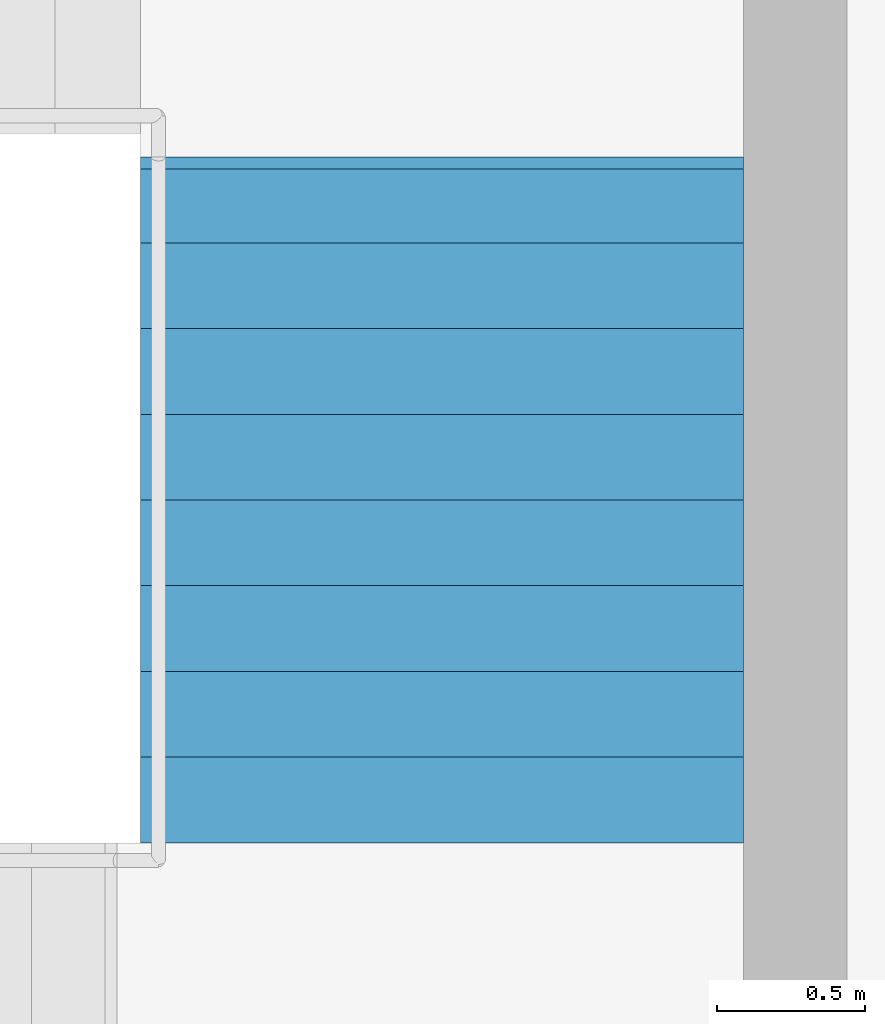
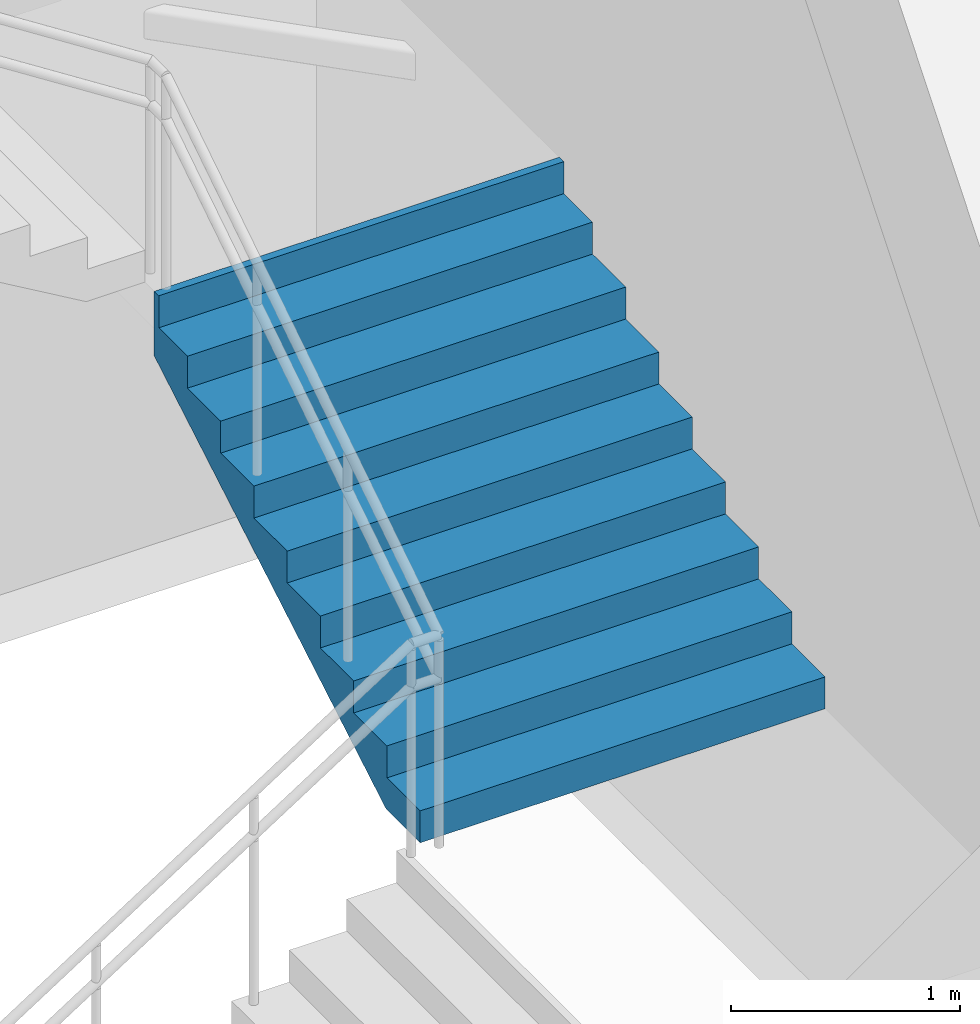
# One storey, part 52 of 58: 1 stair flight, 1 element without a shape of its own.
"""IFC4 building model written with IfcOpenShell, lengths in metres."""

from ifc_helpers import new_model, si_unit, direction, frame, origin, place, context, subcontext, project, spatial, triangles, material, type_object, element, aggregate, save


model = new_model("IFC4")

# Units and contexts
model_context = context("Model", 3, precision=1e-05, world=origin(), true_north=direction((0.0, 1.0)))
body_context = subcontext(model_context, "Body", "Model", "MODEL_VIEW")
ifc_project = project(units=[si_unit("LENGTHUNIT", "METRE"), si_unit("AREAUNIT", "SQUARE_METRE"), si_unit("VOLUMEUNIT", "CUBIC_METRE"), si_unit("PLANEANGLEUNIT", "RADIAN"), si_unit("MASSUNIT", "GRAM", prefix="KILO")], contexts=[model_context])

# Site, building, storey
site_placement = place(None, origin())
site = spatial("IfcSite", under=ifc_project, at=site_placement, CompositionType="ELEMENT")
building_placement = place(site_placement, origin())
building = spatial("IfcBuilding", under=site, at=building_placement, Name="Sillaruma Civic Art Gallery", CompositionType="ELEMENT")
storey_placement = place(building_placement, frame((0.0, 0.0, 22.43994140625)))
storey = spatial("IfcBuildingStorey", under=building, at=storey_placement, Name="L04", CompositionType="ELEMENT", Elevation=22.43994140625)

# Stair, stair flight
ifc_material = material(Name="Concrete H35 (35 MPa)", Category="concrete")
stair_type = type_object("IfcStairType", Name="STR-4F-36", PredefinedType="USERDEFINED", material=ifc_material)
stair_placement = place(storey_placement, origin())
stair = element("IfcStair", 1, at=stair_placement, inside=storey, type_object=stair_type, Name="Protected Exit Stair ST-02 (West Bar North) (L04)", ObjectType="THREE_RETURN_STAIR", PredefinedType="USERDEFINED")
stair_flight_type = type_object("IfcStairFlightType", Name="SFL-STR-9", PredefinedType="STRAIGHT", material=ifc_material)
stair_flight_placement = place(storey_placement, frame((68.219970703125, 82.949951171875, 1.530029296875), z_axis=(0.0, 0.0, 1.0), x_axis=(0.0, 1.0, 0.0)))
stair_flight = element("IfcStairFlight", 2, at=stair_flight_placement, type_object=stair_flight_type, Name="ST-02 flight 2", NumberOfRisers=9, NumberOfTreads=8, PredefinedType="STRAIGHT", RiserHeight=0.17, TreadLength=0.29, context=body_context, shape_type="Tessellation", body=[
    triangles([(0.0, -1.02001953125, 0.0), (0.29, -1.02001953125, 0.0), (0.296482, -1.02001953125, 0.0), (0.58, -1.02001953125, 0.1662), (0.87, -1.02001953125, 0.3362), (1.16, -1.02001953125, 0.5062), (1.45, -1.02001953125, 0.6762), (1.74, -1.02001953125, 0.8462), (2.03, -1.02001953125, 1.0162), (2.280068, -1.02001953125, 1.162792), (2.320068, -1.02001953125, 1.18624), (2.320068, -1.02001953125, 1.53), (2.280068, -1.02001953125, 1.53), (2.280068, -1.02001953125, 1.36), (2.03, -1.02001953125, 1.36), (2.03, -1.02001953125, 1.19), (1.74, -1.02001953125, 1.19), (1.74, -1.02001953125, 1.02), (1.45, -1.02001953125, 1.02), (1.45, -1.02001953125, 0.85), (1.16, -1.02001953125, 0.85), (1.16, -1.02001953125, 0.68), (0.87, -1.02001953125, 0.68), (0.87, -1.02001953125, 0.51), (0.58, -1.02001953125, 0.51), (0.58, -1.02001953125, 0.34), (0.296482, -1.02001953125, 0.34), (0.29, -1.02001953125, 0.34), (0.29, -1.02001953125, 0.17), (0.0, -1.02001953125, 0.17), (0.0, -0.05, 0.0), (0.29, -0.05, 0.0), (0.296482, -0.05, 0.0), (0.58, -0.05, 0.1662), (0.87, -0.05, 0.3362), (1.16, -0.05, 0.5062), (1.45, -0.05, 0.6762), (1.74, -0.05, 0.8462), (2.03, -0.05, 1.0162), (2.280068, -0.05, 1.162792), (2.320068, -0.05, 1.18624), (2.320068, -0.05, 1.53), (2.280068, -0.05, 1.53), (2.280068, -0.05, 1.36), (2.03, -0.05, 1.36), (2.03, -0.05, 1.19), (1.74, -0.05, 1.19), (1.74, -0.05, 1.02), (1.45, -0.05, 1.02), (1.45, -0.05, 0.85), (1.16, -0.05, 0.85), (1.16, -0.05, 0.68), (0.87, -0.05, 0.68), (0.87, -0.05, 0.51), (0.58, -0.05, 0.51), (0.58, -0.05, 0.34), (0.296482, -0.05, 0.34), (0.29, -0.05, 0.34), (0.29, -0.05, 0.17), (0.0, -0.05, 0.17), (0.0, -0.0375, 0.0), (0.29, -0.0375, 0.0), (0.296482, -0.0375, 0.0), (0.58, -0.0375, 0.1662), (0.87, -0.0375, 0.3362), (1.16, -0.0375, 0.5062), (1.45, -0.0375, 0.6762), (1.74, -0.0375, 0.8462), (2.03, -0.0375, 1.0162), (2.280068, -0.0375, 1.162792), (2.320068, -0.0375, 1.18624), (2.320068, -0.0375, 1.53), (2.280068, -0.0375, 1.53), (2.280068, -0.0375, 1.36), (2.03, -0.0375, 1.36), (2.03, -0.0375, 1.19), (1.74, -0.0375, 1.19), (1.74, -0.0375, 1.02), (1.45, -0.0375, 1.02), (1.45, -0.0375, 0.85), (1.16, -0.0375, 0.85), (1.16, -0.0375, 0.68), (0.87, -0.0375, 0.68), (0.87, -0.0375, 0.51), (0.58, -0.0375, 0.51), (0.58, -0.0375, 0.34), (0.296482, -0.0375, 0.34), (0.29, -0.0375, 0.34), (0.29, -0.0375, 0.17), (0.0, -0.0375, 0.17), (0.0, -0.025, 0.0), (0.29, -0.025, 0.0), (0.296482, -0.025, 0.0), (0.58, -0.025, 0.1662), (0.87, -0.025, 0.3362), (1.16, -0.025, 0.5062), (1.45, -0.025, 0.6762), (1.74, -0.025, 0.8462), (2.03, -0.025, 1.0162), (2.280068, -0.025, 1.162792), (2.320068, -0.025, 1.18624), (2.320068, -0.025, 1.53), (2.280068, -0.025, 1.53), (2.280068, -0.025, 1.36), (2.03, -0.025, 1.36), (2.03, -0.025, 1.19), (1.74, -0.025, 1.19), (1.74, -0.025, 1.02), (1.45, -0.025, 1.02), (1.45, -0.025, 0.85), (1.16, -0.025, 0.85), (1.16, -0.025, 0.68), (0.87, -0.025, 0.68), (0.87, -0.025, 0.51), (0.58, -0.025, 0.51), (0.58, -0.025, 0.34), (0.296482, -0.025, 0.34), (0.29, -0.025, 0.34), (0.29, -0.025, 0.17), (0.0, -0.025, 0.17), (0.0, -0.0125, 0.0), (0.29, -0.0125, 0.0), (0.296482, -0.0125, 0.0), (0.58, -0.0125, 0.1662), (0.87, -0.0125, 0.3362), (1.16, -0.0125, 0.5062), (1.45, -0.0125, 0.6762), (1.74, -0.0125, 0.8462), (2.03, -0.0125, 1.0162), (2.280068, -0.0125, 1.162792), (2.320068, -0.0125, 1.18624), (2.320068, -0.0125, 1.53), (2.280068, -0.0125, 1.53), (2.280068, -0.0125, 1.36), (2.03, -0.0125, 1.36), (2.03, -0.0125, 1.19), (1.74, -0.0125, 1.19), (1.74, -0.0125, 1.02), (1.45, -0.0125, 1.02), (1.45, -0.0125, 0.85), (1.16, -0.0125, 0.85), (1.16, -0.0125, 0.68), (0.87, -0.0125, 0.68), (0.87, -0.0125, 0.51), (0.58, -0.0125, 0.51), (0.58, -0.0125, 0.34), (0.296482, -0.0125, 0.34), (0.29, -0.0125, 0.34), (0.29, -0.0125, 0.17), (0.0, -0.0125, 0.17), (0.0, 0.0, 0.0), (0.29, 0.0, 0.0), (0.296482, 0.0, 0.0), (0.58, 0.0, 0.1662), (0.87, 0.0, 0.3362), (1.16, 0.0, 0.5062), (1.45, 0.0, 0.6762), (1.74, 0.0, 0.8462), (2.03, 0.0, 1.0162), (2.280068, 0.0, 1.162792), (2.320068, 0.0, 1.18624), (2.320068, 0.0, 1.53), (2.280068, 0.0, 1.53), (2.280068, 0.0, 1.36), (2.03, 0.0, 1.36), (2.03, 0.0, 1.19), (1.74, 0.0, 1.19), (1.74, 0.0, 1.02), (1.45, 0.0, 1.02), (1.45, 0.0, 0.85), (1.16, 0.0, 0.85), (1.16, 0.0, 0.68), (0.87, 0.0, 0.68), (0.87, 0.0, 0.51), (0.58, 0.0, 0.51), (0.58, 0.0, 0.34), (0.296482, 0.0, 0.34), (0.29, 0.0, 0.34), (0.29, 0.0, 0.17), (0.0, 0.0, 0.17), (0.0, 0.0125, 0.0), (0.29, 0.0125, 0.0), (0.296482, 0.0125, 0.0), (0.58, 0.0125, 0.1662), (0.87, 0.0125, 0.3362), (1.16, 0.0125, 0.5062), (1.45, 0.0125, 0.6762), (1.74, 0.0125, 0.8462), (2.03, 0.0125, 1.0162), (2.280068, 0.0125, 1.162792), (2.320068, 0.0125, 1.18624), (2.320068, 0.0125, 1.53), (2.280068, 0.0125, 1.53), (2.280068, 0.0125, 1.36), (2.03, 0.0125, 1.36), (2.03, 0.0125, 1.19), (1.74, 0.0125, 1.19), (1.74, 0.0125, 1.02), (1.45, 0.0125, 1.02), (1.45, 0.0125, 0.85), (1.16, 0.0125, 0.85), (1.16, 0.0125, 0.68), (0.87, 0.0125, 0.68), (0.87, 0.0125, 0.51), (0.58, 0.0125, 0.51), (0.58, 0.0125, 0.34), (0.296482, 0.0125, 0.34), (0.29, 0.0125, 0.34), (0.29, 0.0125, 0.17), (0.0, 0.0125, 0.17), (0.0, 0.025, 0.0), (0.29, 0.025, 0.0), (0.296482, 0.025, 0.0), (0.58, 0.025, 0.1662), (0.87, 0.025, 0.3362), (1.16, 0.025, 0.5062), (1.45, 0.025, 0.6762), (1.74, 0.025, 0.8462), (2.03, 0.025, 1.0162), (2.280068, 0.025, 1.162792), (2.320068, 0.025, 1.18624), (2.320068, 0.025, 1.53), (2.280068, 0.025, 1.53), (2.280068, 0.025, 1.36), (2.03, 0.025, 1.36), (2.03, 0.025, 1.19), (1.74, 0.025, 1.19), (1.74, 0.025, 1.02), (1.45, 0.025, 1.02), (1.45, 0.025, 0.85), (1.16, 0.025, 0.85), (1.16, 0.025, 0.68), (0.87, 0.025, 0.68), (0.87, 0.025, 0.51), (0.58, 0.025, 0.51), (0.58, 0.025, 0.34), (0.296482, 0.025, 0.34), (0.29, 0.025, 0.34), (0.29, 0.025, 0.17), (0.0, 0.025, 0.17), (0.0, 0.0375, 0.0), (0.29, 0.0375, 0.0), (0.296482, 0.0375, 0.0), (0.58, 0.0375, 0.1662), (0.87, 0.0375, 0.3362), (1.16, 0.0375, 0.5062), (1.45, 0.0375, 0.6762), (1.74, 0.0375, 0.8462), (2.03, 0.0375, 1.0162), (2.280068, 0.0375, 1.162792), (2.320068, 0.0375, 1.18624), (2.320068, 0.0375, 1.53), (2.280068, 0.0375, 1.53), (2.280068, 0.0375, 1.36), (2.03, 0.0375, 1.36), (2.03, 0.0375, 1.19), (1.74, 0.0375, 1.19), (1.74, 0.0375, 1.02), (1.45, 0.0375, 1.02), (1.45, 0.0375, 0.85), (1.16, 0.0375, 0.85), (1.16, 0.0375, 0.68), (0.87, 0.0375, 0.68), (0.87, 0.0375, 0.51), (0.58, 0.0375, 0.51), (0.58, 0.0375, 0.34), (0.296482, 0.0375, 0.34), (0.29, 0.0375, 0.34), (0.29, 0.0375, 0.17), (0.0, 0.0375, 0.17), (0.0, 0.05, 0.0), (0.29, 0.05, 0.0), (0.296482, 0.05, 0.0), (0.58, 0.05, 0.1662), (0.87, 0.05, 0.3362), (1.16, 0.05, 0.5062), (1.45, 0.05, 0.6762), (1.74, 0.05, 0.8462), (2.03, 0.05, 1.0162), (2.280068, 0.05, 1.162792), (2.320068, 0.05, 1.18624), (2.320068, 0.05, 1.53), (2.280068, 0.05, 1.53), (2.280068, 0.05, 1.36), (2.03, 0.05, 1.36), (2.03, 0.05, 1.19), (1.74, 0.05, 1.19), (1.74, 0.05, 1.02), (1.45, 0.05, 1.02), (1.45, 0.05, 0.85), (1.16, 0.05, 0.85), (1.16, 0.05, 0.68), (0.87, 0.05, 0.68), (0.87, 0.05, 0.51), (0.58, 0.05, 0.51), (0.58, 0.05, 0.34), (0.296482, 0.05, 0.34), (0.29, 0.05, 0.34), (0.29, 0.05, 0.17), (0.0, 0.05, 0.17), (0.0, 1.02001953125, 0.0), (0.29, 1.02001953125, 0.0), (0.296482, 1.02001953125, 0.0), (0.58, 1.02001953125, 0.1662), (0.87, 1.02001953125, 0.3362), (1.16, 1.02001953125, 0.5062), (1.45, 1.02001953125, 0.6762), (1.74, 1.02001953125, 0.8462), (2.03, 1.02001953125, 1.0162), (2.280068, 1.02001953125, 1.162792), (2.320068, 1.02001953125, 1.18624), (2.320068, 1.02001953125, 1.53), (2.280068, 1.02001953125, 1.53), (2.280068, 1.02001953125, 1.36), (2.03, 1.02001953125, 1.36), (2.03, 1.02001953125, 1.19), (1.74, 1.02001953125, 1.19), (1.74, 1.02001953125, 1.02), (1.45, 1.02001953125, 1.02), (1.45, 1.02001953125, 0.85), (1.16, 1.02001953125, 0.85), (1.16, 1.02001953125, 0.68), (0.87, 1.02001953125, 0.68), (0.87, 1.02001953125, 0.51), (0.58, 1.02001953125, 0.51), (0.58, 1.02001953125, 0.34), (0.296482, 1.02001953125, 0.34), (0.29, 1.02001953125, 0.34), (0.29, 1.02001953125, 0.17), (0.0, 1.02001953125, 0.17)], [[1, 2, 29], [1, 29, 30], [2, 3, 27], [2, 27, 29], [29, 27, 28], [3, 4, 26], [3, 26, 27], [4, 5, 24], [4, 24, 26], [26, 24, 25], [5, 6, 22], [5, 22, 24], [24, 22, 23], [6, 7, 20], [6, 20, 22], [22, 20, 21], [7, 8, 18], [7, 18, 20], [20, 18, 19], [8, 9, 16], [8, 16, 18], [18, 16, 17], [9, 10, 14], [9, 14, 16], [16, 14, 15], [10, 11, 12], [10, 12, 14], [14, 12, 13], [329, 302, 301], [330, 329, 301], [327, 303, 302], [329, 327, 302], [328, 327, 329], [326, 304, 303], [327, 326, 303], [324, 305, 304], [326, 324, 304], [325, 324, 326], [322, 306, 305], [324, 322, 305], [323, 322, 324], [320, 307, 306], [322, 320, 306], [321, 320, 322], [318, 308, 307], [320, 318, 307], [319, 318, 320], [316, 309, 308], [318, 316, 308], [317, 316, 318], [314, 310, 309], [316, 314, 309], [315, 314, 316], [312, 311, 310], [314, 312, 310], [313, 312, 314], [2, 1, 31], [2, 31, 32], [3, 2, 32], [3, 32, 33], [4, 3, 33], [4, 33, 34], [5, 4, 34], [5, 34, 35], [6, 5, 35], [6, 35, 36], [7, 6, 36], [7, 36, 37], [8, 7, 37], [8, 37, 38], [9, 8, 38], [9, 38, 39], [10, 9, 39], [10, 39, 40], [11, 10, 40], [11, 40, 41], [12, 11, 41], [12, 41, 42], [13, 12, 42], [13, 42, 43], [14, 13, 43], [14, 43, 44], [15, 14, 44], [15, 44, 45], [16, 15, 45], [16, 45, 46], [17, 16, 46], [17, 46, 47], [18, 17, 47], [18, 47, 48], [19, 18, 48], [19, 48, 49], [20, 19, 49], [20, 49, 50], [21, 20, 50], [21, 50, 51], [22, 21, 51], [22, 51, 52], [23, 22, 52], [23, 52, 53], [24, 23, 53], [24, 53, 54], [25, 24, 54], [25, 54, 55], [26, 25, 55], [26, 55, 56], [27, 26, 56], [27, 56, 57], [28, 27, 57], [28, 57, 58], [29, 28, 58], [29, 58, 59], [30, 29, 59], [30, 59, 60], [1, 30, 60], [1, 60, 31], [32, 31, 61], [32, 61, 62], [33, 32, 62], [33, 62, 63], [34, 33, 63], [34, 63, 64], [35, 34, 64], [35, 64, 65], [36, 35, 65], [36, 65, 66], [37, 36, 66], [37, 66, 67], [38, 37, 67], [38, 67, 68], [39, 38, 68], [39, 68, 69], [40, 39, 69], [40, 69, 70], [41, 40, 70], [41, 70, 71], [42, 41, 71], [42, 71, 72], [43, 42, 72], [43, 72, 73], [44, 43, 73], [44, 73, 74], [45, 44, 74], [45, 74, 75], [46, 45, 75], [46, 75, 76], [47, 46, 76], [47, 76, 77], [48, 47, 77], [48, 77, 78], [49, 48, 78], [49, 78, 79], [50, 49, 79], [50, 79, 80], [51, 50, 80], [51, 80, 81], [52, 51, 81], [52, 81, 82], [53, 52, 82], [53, 82, 83], [54, 53, 83], [54, 83, 84], [55, 54, 84], [55, 84, 85], [56, 55, 85], [56, 85, 86], [57, 56, 86], [57, 86, 87], [58, 57, 87], [58, 87, 88], [59, 58, 88], [59, 88, 89], [60, 59, 89], [60, 89, 90], [31, 60, 90], [31, 90, 61], [62, 61, 91], [62, 91, 92], [63, 62, 92], [63, 92, 93], [64, 63, 93], [64, 93, 94], [65, 64, 94], [65, 94, 95], [66, 65, 95], [66, 95, 96], [67, 66, 96], [67, 96, 97], [68, 67, 97], [68, 97, 98], [69, 68, 98], [69, 98, 99], [70, 69, 99], [70, 99, 100], [71, 70, 100], [71, 100, 101], [72, 71, 101], [72, 101, 102], [73, 72, 102], [73, 102, 103], [74, 73, 103], [74, 103, 104], [75, 74, 104], [75, 104, 105], [76, 75, 105], [76, 105, 106], [77, 76, 106], [77, 106, 107], [78, 77, 107], [78, 107, 108], [79, 78, 108], [79, 108, 109], [80, 79, 109], [80, 109, 110], [81, 80, 110], [81, 110, 111], [82, 81, 111], [82, 111, 112], [83, 82, 112], [83, 112, 113], [84, 83, 113], [84, 113, 114], [85, 84, 114], [85, 114, 115], [86, 85, 115], [86, 115, 116], [87, 86, 116], [87, 116, 117], [88, 87, 117], [88, 117, 118], [89, 88, 118], [89, 118, 119], [90, 89, 119], [90, 119, 120], [61, 90, 120], [61, 120, 91], [92, 91, 121], [92, 121, 122], [93, 92, 122], [93, 122, 123], [94, 93, 123], [94, 123, 124], [95, 94, 124], [95, 124, 125], [96, 95, 125], [96, 125, 126], [97, 96, 126], [97, 126, 127], [98, 97, 127], [98, 127, 128], [99, 98, 128], [99, 128, 129], [100, 99, 129], [100, 129, 130], [101, 100, 130], [101, 130, 131], [102, 101, 131], [102, 131, 132], [103, 102, 132], [103, 132, 133], [104, 103, 133], [104, 133, 134], [105, 104, 134], [105, 134, 135], [106, 105, 135], [106, 135, 136], [107, 106, 136], [107, 136, 137], [108, 107, 137], [108, 137, 138], [109, 108, 138], [109, 138, 139], [110, 109, 139], [110, 139, 140], [111, 110, 140], [111, 140, 141], [112, 111, 141], [112, 141, 142], [113, 112, 142], [113, 142, 143], [114, 113, 143], [114, 143, 144], [115, 114, 144], [115, 144, 145], [116, 115, 145], [116, 145, 146], [117, 116, 146], [117, 146, 147], [118, 117, 147], [118, 147, 148], [119, 118, 148], [119, 148, 149], [120, 119, 149], [120, 149, 150], [91, 120, 150], [91, 150, 121], [122, 121, 151], [122, 151, 152], [123, 122, 152], [123, 152, 153], [124, 123, 153], [124, 153, 154], [125, 124, 154], [125, 154, 155], [126, 125, 155], [126, 155, 156], [127, 126, 156], [127, 156, 157], [128, 127, 157], [128, 157, 158], [129, 128, 158], [129, 158, 159], [130, 129, 159], [130, 159, 160], [131, 130, 160], [131, 160, 161], [132, 131, 161], [132, 161, 162], [133, 132, 162], [133, 162, 163], [134, 133, 163], [134, 163, 164], [135, 134, 164], [135, 164, 165], [136, 135, 165], [136, 165, 166], [137, 136, 166], [137, 166, 167], [138, 137, 167], [138, 167, 168], [139, 138, 168], [139, 168, 169], [140, 139, 169], [140, 169, 170], [141, 140, 170], [141, 170, 171], [142, 141, 171], [142, 171, 172], [143, 142, 172], [143, 172, 173], [144, 143, 173], [144, 173, 174], [145, 144, 174], [145, 174, 175], [146, 145, 175], [146, 175, 176], [147, 146, 176], [147, 176, 177], [148, 147, 177], [148, 177, 178], [149, 148, 178], [149, 178, 179], [150, 149, 179], [150, 179, 180], [121, 150, 180], [121, 180, 151], [152, 151, 181], [152, 181, 182], [153, 152, 182], [153, 182, 183], [154, 153, 183], [154, 183, 184], [155, 154, 184], [155, 184, 185], [156, 155, 185], [156, 185, 186], [157, 156, 186], [157, 186, 187], [158, 157, 187], [158, 187, 188], [159, 158, 188], [159, 188, 189], [160, 159, 189], [160, 189, 190], [161, 160, 190], [161, 190, 191], [162, 161, 191], [162, 191, 192], [163, 162, 192], [163, 192, 193], [164, 163, 193], [164, 193, 194], [165, 164, 194], [165, 194, 195], [166, 165, 195], [166, 195, 196], [167, 166, 196], [167, 196, 197], [168, 167, 197], [168, 197, 198], [169, 168, 198], [169, 198, 199], [170, 169, 199], [170, 199, 200], [171, 170, 200], [171, 200, 201], [172, 171, 201], [172, 201, 202], [173, 172, 202], [173, 202, 203], [174, 173, 203], [174, 203, 204], [175, 174, 204], [175, 204, 205], [176, 175, 205], [176, 205, 206], [177, 176, 206], [177, 206, 207], [178, 177, 207], [178, 207, 208], [179, 178, 208], [179, 208, 209], [180, 179, 209], [180, 209, 210], [151, 180, 210], [151, 210, 181], [182, 181, 211], [182, 211, 212], [183, 182, 212], [183, 212, 213], [184, 183, 213], [184, 213, 214], [185, 184, 214], [185, 214, 215], [186, 185, 215], [186, 215, 216], [187, 186, 216], [187, 216, 217], [188, 187, 217], [188, 217, 218], [189, 188, 218], [189, 218, 219], [190, 189, 219], [190, 219, 220], [191, 190, 220], [191, 220, 221], [192, 191, 221], [192, 221, 222], [193, 192, 222], [193, 222, 223], [194, 193, 223], [194, 223, 224], [195, 194, 224], [195, 224, 225], [196, 195, 225], [196, 225, 226], [197, 196, 226], [197, 226, 227], [198, 197, 227], [198, 227, 228], [199, 198, 228], [199, 228, 229], [200, 199, 229], [200, 229, 230], [201, 200, 230], [201, 230, 231], [202, 201, 231], [202, 231, 232], [203, 202, 232], [203, 232, 233], [204, 203, 233], [204, 233, 234], [205, 204, 234], [205, 234, 235], [206, 205, 235], [206, 235, 236], [207, 206, 236], [207, 236, 237], [208, 207, 237], [208, 237, 238], [209, 208, 238], [209, 238, 239], [210, 209, 239], [210, 239, 240], [181, 210, 240], [181, 240, 211], [212, 211, 241], [212, 241, 242], [213, 212, 242], [213, 242, 243], [214, 213, 243], [214, 243, 244], [215, 214, 244], [215, 244, 245], [216, 215, 245], [216, 245, 246], [217, 216, 246], [217, 246, 247], [218, 217, 247], [218, 247, 248], [219, 218, 248], [219, 248, 249], [220, 219, 249], [220, 249, 250], [221, 220, 250], [221, 250, 251], [222, 221, 251], [222, 251, 252], [223, 222, 252], [223, 252, 253], [224, 223, 253], [224, 253, 254], [225, 224, 254], [225, 254, 255], [226, 225, 255], [226, 255, 256], [227, 226, 256], [227, 256, 257], [228, 227, 257], [228, 257, 258], [229, 228, 258], [229, 258, 259], [230, 229, 259], [230, 259, 260], [231, 230, 260], [231, 260, 261], [232, 231, 261], [232, 261, 262], [233, 232, 262], [233, 262, 263], [234, 233, 263], [234, 263, 264], [235, 234, 264], [235, 264, 265], [236, 235, 265], [236, 265, 266], [237, 236, 266], [237, 266, 267], [238, 237, 267], [238, 267, 268], [239, 238, 268], [239, 268, 269], [240, 239, 269], [240, 269, 270], [211, 240, 270], [211, 270, 241], [242, 241, 271], [242, 271, 272], [243, 242, 272], [243, 272, 273], [244, 243, 273], [244, 273, 274], [245, 244, 274], [245, 274, 275], [246, 245, 275], [246, 275, 276], [247, 246, 276], [247, 276, 277], [248, 247, 277], [248, 277, 278], [249, 248, 278], [249, 278, 279], [250, 249, 279], [250, 279, 280], [251, 250, 280], [251, 280, 281], [252, 251, 281], [252, 281, 282], [253, 252, 282], [253, 282, 283], [254, 253, 283], [254, 283, 284], [255, 254, 284], [255, 284, 285], [256, 255, 285], [256, 285, 286], [257, 256, 286], [257, 286, 287], [258, 257, 287], [258, 287, 288], [259, 258, 288], [259, 288, 289], [260, 259, 289], [260, 289, 290], [261, 260, 290], [261, 290, 291], [262, 261, 291], [262, 291, 292], [263, 262, 292], [263, 292, 293], [264, 263, 293], [264, 293, 294], [265, 264, 294], [265, 294, 295], [266, 265, 295], [266, 295, 296], [267, 266, 296], [267, 296, 297], [268, 267, 297], [268, 297, 298], [269, 268, 298], [269, 298, 299], [270, 269, 299], [270, 299, 300], [241, 270, 300], [241, 300, 271], [272, 271, 301], [272, 301, 302], [273, 272, 302], [273, 302, 303], [274, 273, 303], [274, 303, 304], [275, 274, 304], [275, 304, 305], [276, 275, 305], [276, 305, 306], [277, 276, 306], [277, 306, 307], [278, 277, 307], [278, 307, 308], [279, 278, 308], [279, 308, 309], [280, 279, 309], [280, 309, 310], [281, 280, 310], [281, 310, 311], [282, 281, 311], [282, 311, 312], [283, 282, 312], [283, 312, 313], [284, 283, 313], [284, 313, 314], [285, 284, 314], [285, 314, 315], [286, 285, 315], [286, 315, 316], [287, 286, 316], [287, 316, 317], [288, 287, 317], [288, 317, 318], [289, 288, 318], [289, 318, 319], [290, 289, 319], [290, 319, 320], [291, 290, 320], [291, 320, 321], [292, 291, 321], [292, 321, 322], [293, 292, 322], [293, 322, 323], [294, 293, 323], [294, 323, 324], [295, 294, 324], [295, 324, 325], [296, 295, 325], [296, 325, 326], [297, 296, 326], [297, 326, 327], [298, 297, 327], [298, 327, 328], [299, 298, 328], [299, 328, 329], [300, 299, 329], [300, 329, 330], [271, 300, 330], [271, 330, 301]], closed=True),
])
aggregate(stair, [stair_flight])

save(model, "model.ifc")
